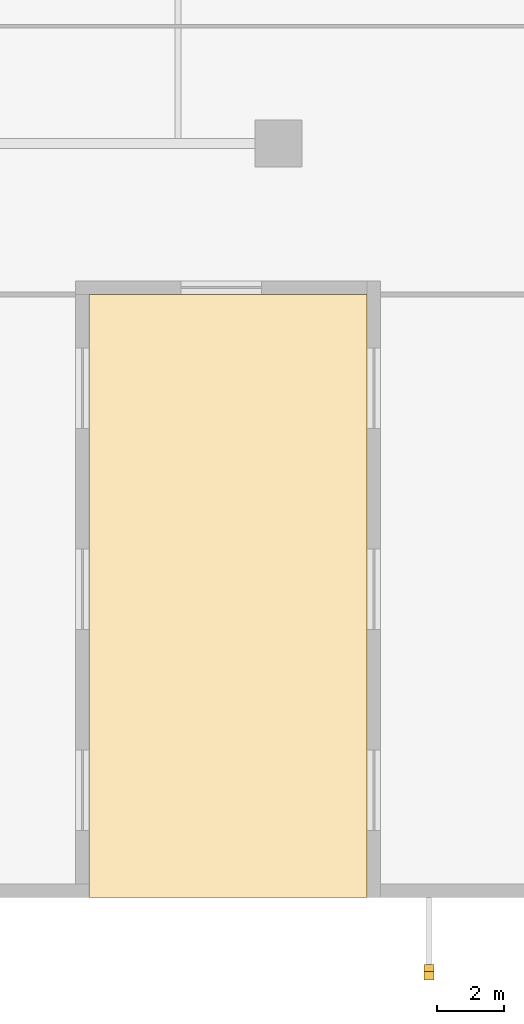
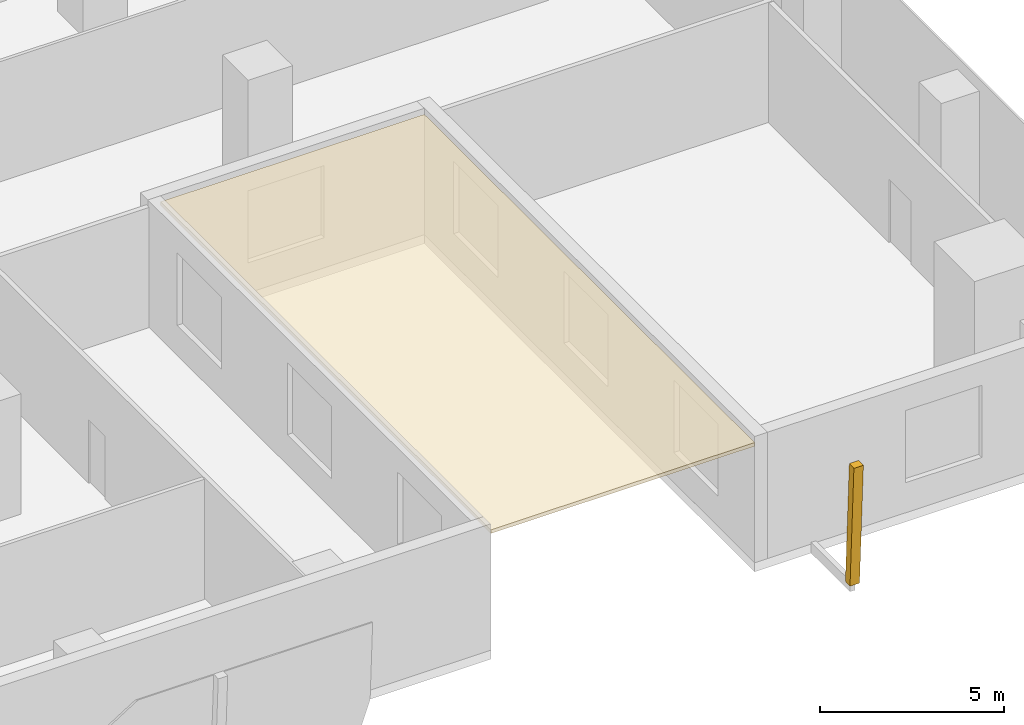
# One storey, part 17 of 21: 2 coverings.
"""IFC4 building model written with IfcOpenShell, lengths in metres."""

from ifc_helpers import new_model, si_unit, direction, frame, origin, place, context, subcontext, project, spatial, polyline, outline, extrude, source, transform, mapped, material, layer, layer_set, type_object, element, save


model = new_model("IFC4")

# Units and contexts
model_context = context("Model", 3, precision=1e-05, world=origin(), true_north=direction((0.0, 1.0)))
body_context = subcontext(model_context, "Body", "Model", "MODEL_VIEW")
ifc_project = project(units=[si_unit("LENGTHUNIT", "METRE"), si_unit("AREAUNIT", "SQUARE_METRE"), si_unit("VOLUMEUNIT", "CUBIC_METRE"), si_unit("PLANEANGLEUNIT", "RADIAN"), si_unit("MASSUNIT", "GRAM", prefix="KILO")], contexts=[model_context])

# Site, building, storey
site_placement = place(None, origin())
site = spatial("IfcSite", under=ifc_project, at=site_placement, CompositionType="ELEMENT")
building_placement = place(site_placement, origin())
building = spatial("IfcBuilding", under=site, at=building_placement, Name="Khomas Fold Tower", CompositionType="ELEMENT")
storey_placement = place(building_placement, frame((0.0, 0.0, 28.5)))
storey = spatial("IfcBuildingStorey", under=building, at=storey_placement, Name="L05", CompositionType="ELEMENT", Elevation=28.5)

# Coverings
ifc_material_1 = material(Name="Natural stone cladding", Category="masonry")
ifc_layer_1 = layer(ifc_material_1, 0.25)
ifc_layer_set_1 = layer_set([ifc_layer_1], Name="Natural stone cladding")
covering_type_1 = type_object("IfcCoveringType", Name="SK-Karibib marble stone mullion", PredefinedType="CLADDING", material=ifc_layer_set_1)
covering_1_placement = place(storey_placement, frame((42.14990234375, -2.212890625, 4.050048828125), z_axis=(0.0, 0.998627623239, 0.052372417398), x_axis=(0.0, 0.052372417398, -0.998627623239)))
element("IfcCovering", 1, at=covering_1_placement, inside=storey, type_object=covering_type_1, Name="OUTER SKIN mullion L05 SM106-7", PredefinedType="CLADDING", context=body_context, shape_type="SweptSolid", body=[
    extrude(outline(polyline([(0.0, 0.0), (4.055614659435384, 0.0), (4.055614659435384, 0.2998046875), (0.0, 0.2998046875), (0.0, 0.0)])), origin(), (0.0, 0.0, -1.0), 0.25),
])
ifc_material_2 = material(Name="Natural stone cladding", Category="masonry")
ifc_layer_2 = layer(ifc_material_2, 0.1201171875)
ifc_layer_set_2 = layer_set([ifc_layer_2], Name="Natural stone cladding")
covering_type_2 = type_object("IfcCoveringType", Name="Notch soffit stone GN-SF", PredefinedType="CLADDING", material=ifc_layer_set_2)
shared_shape = source(origin(), body_context, "Body", "SweptSolid", [
    extrude(outline(polyline([(40.14990234375, 0.0), (40.14990234375, 18.0), (31.85009765625, 18.0), (31.85009765625, 0.0), (40.14990234375, 0.0)])), origin(), (0.0, 0.0, 1.0), 0.1201171875),
])
covering_2_placement = place(storey_placement, frame((0.0, 0.0, 3.8798828125)))
element("IfcCovering", 2, at=covering_2_placement, inside=storey, type_object=covering_type_2, Name="Notch soffit stone", PredefinedType="CLADDING", context=body_context, shape_type="MappedRepresentation", body=[
    mapped(shared_shape, transform((0.0, 0.0, 0.0))),
])

save(model, "model.ifc")
